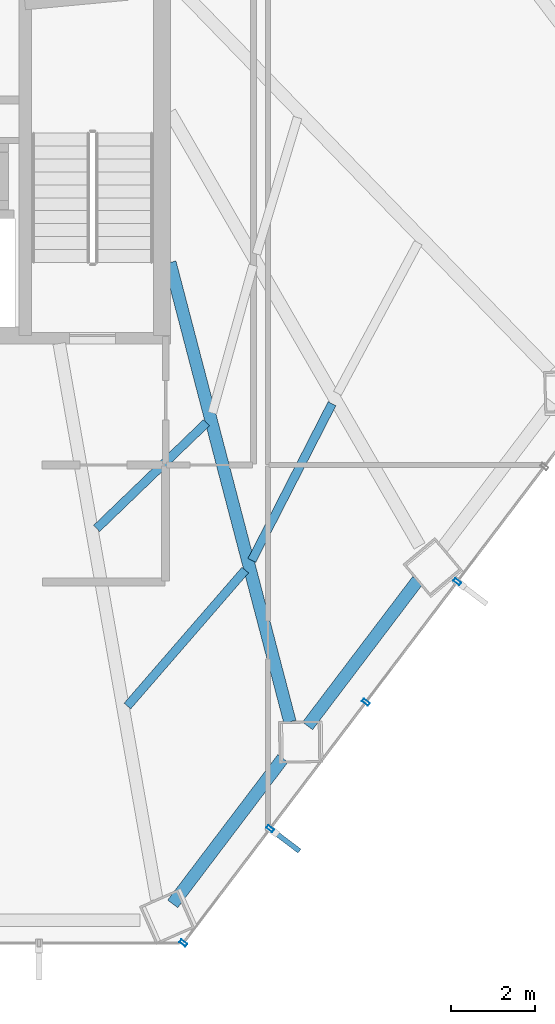
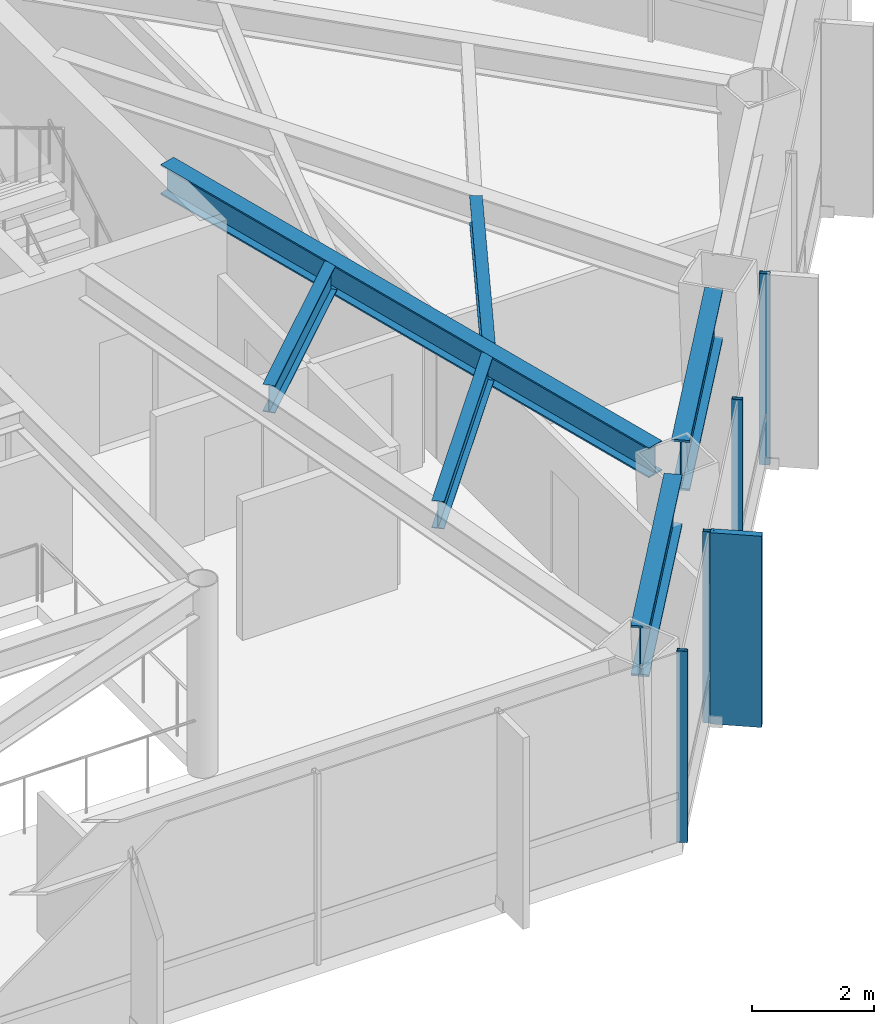
# One storey, part 14 of 24: 6 beams, 5 members, 1 element without a shape of its own.
"""IFC4 building model written with IfcOpenShell, lengths in metres."""

import ifcopenshell
import ifcopenshell.guid

model = None  # the IFC model being written
_history = None  # IfcOwnerHistory: only IFC2X3 demands one
_inside = {}  # id of a spatial element -> (the spatial element, [elements in it])
_under = {}  # id of a project, library or spatial element -> (it, [spatial elements below it])
_declared = {}  # id of a project -> (the project, [libraries it declares])
_typed = {}  # id of a type object -> (the type object, [elements of that type])
_made_of = {}  # id of a material, layer set ... -> (it, [elements and type objects made of it])


def new_model(schema):
    """Start an empty IFC model of exactly this schema.

    Asked for "IFC4X3", IfcOpenShell would pick the latest addendum, in which some entities
    have other attributes; the version numbers below select the first issue.
    IFC2X3 requires an IfcOwnerHistory on every rooted entity: one is made here for all.
    """
    global model, _history
    if schema == "IFC4X3":
        model = ifcopenshell.file(schema_version=(4, 3, 0, 0))
    else:
        model = ifcopenshell.file(schema=schema)
    _inside.clear()
    _under.clear()
    _declared.clear()
    _typed.clear()
    _made_of.clear()
    _history = None
    if model.schema == "IFC2X3":
        org = make("IfcOrganization", Name="unknown")
        user = make(
            "IfcPersonAndOrganization",
            ThePerson=make("IfcPerson", FamilyName="unknown"),
            TheOrganization=org,
        )
        app = make(
            "IfcApplication",
            ApplicationDeveloper=org,
            Version="unknown",
            ApplicationFullName="unknown",
            ApplicationIdentifier="unknown",
        )
        _history = make(
            "IfcOwnerHistory",
            OwningUser=user,
            OwningApplication=app,
            ChangeAction="ADDED",
            CreationDate=0,
        )
    return model


def make(cls, **values):
    """One entity of the class cls with the attributes given. An attribute that is None is left unset."""
    return model.create_entity(
        cls, **{name: value for name, value in values.items() if value is not None}
    )


def rooted(cls, **values):
    """An entity with a GlobalId (a new one), such as an element, a storey or a relation."""
    return make(cls, GlobalId=ifcopenshell.guid.new(), OwnerHistory=_history, **values)


def si_unit(unit_type, name, prefix=None):
    """IfcSIUnit, for example si_unit("LENGTHUNIT", "METRE", prefix="MILLI")."""
    return make("IfcSIUnit", UnitType=unit_type, Prefix=prefix, Name=name)


def assignment(units):
    """IfcUnitAssignment: the units of a project."""
    return None if units is None else make("IfcUnitAssignment", Units=units)


def point(xyz):
    """IfcCartesianPoint."""
    return None if xyz is None else make("IfcCartesianPoint", Coordinates=xyz)


def direction(xyz):
    """IfcDirection."""
    return None if xyz is None else make("IfcDirection", DirectionRatios=xyz)


def frame(location, z_axis=None, x_axis=None):
    """IfcAxis2Placement3D, a coordinate frame: its origin and axes. An axis left out is left unset."""
    return make(
        "IfcAxis2Placement3D",
        Location=point(location),
        Axis=direction(z_axis),
        RefDirection=direction(x_axis),
    )


def frame_2d(location, x_axis=None):
    """IfcAxis2Placement2D, a coordinate frame in the plane: its origin and x axis."""
    return make(
        "IfcAxis2Placement2D", Location=point(location), RefDirection=direction(x_axis)
    )


def origin():
    """The frame at (0, 0, 0) with its axes left unset."""
    return frame((0.0, 0.0, 0.0))


def origin_2d():
    """The frame at (0, 0) in the plane with its x axis left unset."""
    return frame_2d((0.0, 0.0))


def place(relative_to, where):
    """IfcLocalPlacement: puts the frame where relative to a parent placement (None: the world)."""
    return make(
        "IfcLocalPlacement", PlacementRelTo=relative_to, RelativePlacement=where
    )


def context(
    kind, dimensions, precision=None, world=None, true_north=None, identifier=None
):
    """IfcGeometricRepresentationContext, for example the 3D "Model" context."""
    return make(
        "IfcGeometricRepresentationContext",
        ContextIdentifier=identifier,
        ContextType=kind,
        CoordinateSpaceDimension=dimensions,
        Precision=precision,
        WorldCoordinateSystem=world,
        TrueNorth=true_north,
    )


def subcontext(parent, identifier, kind, view, scale=None):
    """IfcGeometricRepresentationSubContext, for example "Body" below "Model"."""
    return make(
        "IfcGeometricRepresentationSubContext",
        ContextIdentifier=identifier,
        ContextType=kind,
        ParentContext=parent,
        TargetScale=scale,
        TargetView=view,
    )


def project(units=None, contexts=None):
    """IfcProject with its units and contexts."""
    return rooted(
        "IfcProject",
        Name="project",
        RepresentationContexts=contexts,
        UnitsInContext=assignment(units),
    )


def spatial(cls, under=None, at=None, **own):
    """A site, building, storey or space (cls), placed at a placement, below another one or the project."""
    s = rooted(cls, ObjectPlacement=at, **own)
    if under is not None:
        _under.setdefault(under.id(), (under, []))[1].append(s)
    return s


def profile(cls, at=None, kind="AREA", **sizes):
    """A parametric profile (cls). Its sizes go by their IFC names, for example OverallWidth=200.0."""
    return make(cls, ProfileType=kind, Position=at, **sizes)


def rectangle(**sizes):
    """IfcRectangleProfileDef."""
    return profile("IfcRectangleProfileDef", **sizes)


def hollow_rectangle(**sizes):
    """IfcRectangleHollowProfileDef."""
    return profile("IfcRectangleHollowProfileDef", **sizes)


def i_section(**sizes):
    """IfcIShapeProfileDef."""
    return profile("IfcIShapeProfileDef", **sizes)


def extrude(swept, where, along, depth):
    """IfcExtrudedAreaSolid: the profile swept, set in the frame where, extruded along a direction by depth."""
    return make(
        "IfcExtrudedAreaSolid",
        SweptArea=swept,
        Position=where,
        ExtrudedDirection=direction(along),
        Depth=depth,
    )


def shape(context_of_items, identifier, shape_type, items):
    """IfcShapeRepresentation: the items that make up one representation, for example the "Body"."""
    return make(
        "IfcShapeRepresentation",
        ContextOfItems=context_of_items,
        RepresentationIdentifier=identifier,
        RepresentationType=shape_type,
        Items=items,
    )


def material(Name=None, Category=None):
    """IfcMaterial."""
    return make("IfcMaterial", Name=Name, Category=Category)


def layer(
    of_material, thickness, ventilated=None, Name=None, Category=None, Priority=None
):
    """IfcMaterialLayer: one layer of a wall or slab, of a material (None: an air gap)."""
    return make(
        "IfcMaterialLayer",
        Material=of_material,
        LayerThickness=thickness,
        IsVentilated=ventilated,
        Name=Name,
        Category=Category,
        Priority=Priority,
    )


def layer_set(layers, Name=None):
    """IfcMaterialLayerSet."""
    return make("IfcMaterialLayerSet", MaterialLayers=layers, LayerSetName=Name)


def material_profile(
    of_material, cross_section, Name=None, Category=None, Priority=None
):
    """IfcMaterialProfile: a cross section and its material."""
    return make(
        "IfcMaterialProfile",
        Name=Name,
        Material=of_material,
        Profile=cross_section,
        Priority=Priority,
        Category=Category,
    )


def profile_set(profiles, Name=None, composite=None):
    """IfcMaterialProfileSet."""
    return make(
        "IfcMaterialProfileSet",
        Name=Name,
        MaterialProfiles=profiles,
        CompositeProfile=composite,
    )


def made_of(thing, what):
    """Note that an element or type object is made of a material, layer set ...; save() writes the relation."""
    if what is not None:
        _made_of.setdefault(what.id(), (what, []))[1].append(thing)
    return thing


def type_object(cls, material=None, **own):
    """A type object (cls), such as IfcWallType, which elements share."""
    return made_of(rooted(cls, **own), material)


def element(
    cls,
    number,
    at=None,
    inside=None,
    cuts=None,
    type_object=None,
    material=None,
    context=None,
    identifier="Body",
    shape_type=None,
    held_by="IfcProductDefinitionShape",
    body=None,
    shapes=None,
    **own,
):
    """One element of the class cls, such as IfcWall. Its Tag is "e" and its number.

    at: its placement. inside: the storey or other place that contains it. cuts: it is an
    opening in that element (IfcRelVoidsElement). A single representation is given by context,
    identifier, shape_type and body (its items); several are given by shapes. held_by: the class
    of the entity that holds the representations. save() writes the other relations.
    """
    e = rooted(cls, Tag="e%d" % number, ObjectPlacement=at, **own)
    if body is not None:
        shapes = [shape(context, identifier, shape_type, body)]
    if shapes is not None:
        e.Representation = make(held_by, Representations=shapes)
    if inside is not None:
        _inside.setdefault(inside.id(), (inside, []))[1].append(e)
    if cuts is not None:
        rooted(
            "IfcRelVoidsElement", RelatingBuildingElement=cuts, RelatedOpeningElement=e
        )
    if type_object is not None:
        _typed.setdefault(type_object.id(), (type_object, []))[1].append(e)
    return made_of(e, material)


def aggregate(whole, parts):
    """IfcRelAggregates: a whole, such as a stair, and the parts it consists of."""
    return rooted("IfcRelAggregates", RelatingObject=whole, RelatedObjects=parts)


def save(model, path):
    """Write the relations noted so far, then the file.

    IfcRelAggregates (storeys below a building ...), IfcRelContainedInSpatialStructure (elements
    in a storey), IfcRelDefinesByType, IfcRelAssociatesMaterial and IfcRelDeclares: one each for
    every whole, place, type object, material and project.
    """
    for whole, parts in _under.values():
        aggregate(whole, parts)
    for where, things in _inside.values():
        rooted(
            "IfcRelContainedInSpatialStructure",
            RelatedElements=things,
            RelatingStructure=where,
        )
    for kind, things in _typed.values():
        rooted("IfcRelDefinesByType", RelatedObjects=things, RelatingType=kind)
    for what, things in _made_of.values():
        rooted("IfcRelAssociatesMaterial", RelatedObjects=things, RelatingMaterial=what)
    for by, libraries in _declared.values():
        rooted("IfcRelDeclares", RelatingContext=by, RelatedDefinitions=libraries)
    model.write(path)


model = new_model("IFC4")

# Units and contexts
model_context = context("Model", 3, precision=1e-05, world=origin(), true_north=direction((0.0, 1.0)))
body_context = subcontext(model_context, "Body", "Model", "MODEL_VIEW")
ifc_project = project(units=[si_unit("LENGTHUNIT", "METRE"), si_unit("AREAUNIT", "SQUARE_METRE"), si_unit("VOLUMEUNIT", "CUBIC_METRE"), si_unit("PLANEANGLEUNIT", "RADIAN"), si_unit("MASSUNIT", "GRAM", prefix="KILO")], contexts=[model_context])

# Site, building, storey
site_placement = place(None, origin())
site = spatial("IfcSite", under=ifc_project, at=site_placement, CompositionType="ELEMENT")
building_placement = place(site_placement, origin())
building = spatial("IfcBuilding", under=site, at=building_placement, Name="Zarrinselat Tower", CompositionType="ELEMENT")
storey_placement = place(building_placement, frame((0.0, 0.0, 68.340087890625)))
storey = spatial("IfcBuildingStorey", under=building, at=storey_placement, Name="L16", CompositionType="ELEMENT", Elevation=68.340087890625)

# Beams
ifc_material_1 = material(Name="Steel S355J2", Category="steel")
ifc_material_profile_1 = material_profile(ifc_material_1, i_section(OverallWidth=0.300048828125, OverallDepth=0.60009765625, WebThickness=0.015380859375, FlangeThickness=0.030029296875, at=origin_2d()), Name="HEB 600")
ifc_profile_set_1 = profile_set([ifc_material_profile_1], Name="Steel S355J2")
beam_type_1 = type_object("IfcBeamType", Name="BM-HEB600", PredefinedType="BEAM", material=ifc_profile_set_1)
beam_1_placement = place(storey_placement, frame((48.449951171875, 35.0, 3.52001953125), z_axis=(0.252816194967, -0.967514326283, 0.0), x_axis=(0.967514326283, 0.252816194967, 0.0)))
element("IfcBeam", 1, at=beam_1_placement, inside=storey, type_object=beam_type_1, Name="L16 Radial Primary Girder RG12", PredefinedType="BEAM", context=body_context, shape_type="SweptSolid", body=[
    extrude(i_section(OverallWidth=0.300048828125, OverallDepth=0.60009765625, WebThickness=0.015380859375, FlangeThickness=0.030029296875, at=origin_2d()), origin(), (0.0, 0.0, 1.0), 11.3671875),
])
ifc_material_2 = material(Name="Steel S460M", Category="steel")
ifc_material_profile_2 = material_profile(ifc_material_2, i_section(OverallWidth=0.302001953125, OverallDepth=1.008056640625, WebThickness=0.02099609375, FlangeThickness=0.0400390625, at=origin_2d()), Name="HEM 1000")
ifc_profile_set_2 = profile_set([ifc_material_profile_2], Name="Steel S460M")
beam_type_2 = type_object("IfcBeamType", Name="BM-HEM1000", PredefinedType="BEAM", material=ifc_profile_set_2)
beam_2_placement = place(storey_placement, frame((48.516845703125, 19.643798828125, 3.31591796875), z_axis=(0.603836178462, 0.797108442798, 0.0), x_axis=(-0.797108442798, 0.603836178462, 0.0)))
element("IfcBeam", 2, at=beam_2_placement, inside=storey, type_object=beam_type_2, Name="L16 Perimeter Spandrel Girder SP11", PredefinedType="BEAM", context=body_context, shape_type="SweptSolid", body=[
    extrude(i_section(OverallWidth=0.302001953125, OverallDepth=1.008056640625, WebThickness=0.02099609375, FlangeThickness=0.0400390625, at=origin_2d()), origin(), (0.0, 0.0, 1.0), 4.37060546875),
])
beam_3_placement = place(storey_placement, frame((51.745361328125, 23.905517578125, 3.31591796875), z_axis=(0.60386306555, 0.797088074221, 0.0), x_axis=(-0.797088074221, 0.60386306555, 0.0)))
element("IfcBeam", 3, at=beam_3_placement, inside=storey, type_object=beam_type_2, Name="L16 Perimeter Spandrel Girder SP12", PredefinedType="BEAM", context=body_context, shape_type="SweptSolid", body=[
    extrude(i_section(OverallWidth=0.302001953125, OverallDepth=1.008056640625, WebThickness=0.02099609375, FlangeThickness=0.0400390625, at=origin_2d()), origin(), (0.0, 0.0, 1.0), 4.370361328125),
])
ifc_material_3 = material(Name="Steel S355J2", Category="steel")
ifc_material_profile_3 = material_profile(ifc_material_3, i_section(OverallWidth=0.2099609375, OverallDepth=0.550048828125, WebThickness=0.010986328125, FlangeThickness=0.01708984375, at=origin_2d()), Name="IPE 550")
ifc_profile_set_3 = profile_set([ifc_material_profile_3], Name="Steel S355J2")
beam_type_3 = type_object("IfcBeamType", Name="BM-IPE550", PredefinedType="JOIST", material=ifc_profile_set_3)
beam_4_placement = place(storey_placement, frame((47.43310546875, 24.380615234375, 3.544921875), z_axis=(0.655018994575, 0.755612411721, 0.0), x_axis=(-0.755612411721, 0.655018994575, 0.0)))
element("IfcBeam", 4, at=beam_4_placement, inside=storey, type_object=beam_type_3, Name="L16 Composite Floor Joist 3-1", PredefinedType="JOIST", context=body_context, shape_type="SweptSolid", body=[
    extrude(i_section(OverallWidth=0.2099609375, OverallDepth=0.550048828125, WebThickness=0.010986328125, FlangeThickness=0.01708984375, at=origin_2d()), origin(), (0.0, 0.0, 1.0), 4.307861328125),
])
beam_5_placement = place(storey_placement, frame((46.69482421875, 28.63134765625, 3.544921875), z_axis=(0.720514408481, 0.693439966522, 0.0), x_axis=(-0.693439966522, 0.720514408481, 0.0)))
element("IfcBeam", 5, at=beam_5_placement, inside=storey, type_object=beam_type_3, Name="L16 Composite Floor Joist 3-2", PredefinedType="JOIST", context=body_context, shape_type="SweptSolid", body=[
    extrude(i_section(OverallWidth=0.2099609375, OverallDepth=0.550048828125, WebThickness=0.010986328125, FlangeThickness=0.01708984375, at=origin_2d()), origin(), (0.0, 0.0, 1.0), 3.652099609375),
])
beam_6_placement = place(storey_placement, frame((50.410400390625, 27.8662109375, 3.544921875), z_axis=(0.455714794435, 0.89012584848, 0.0), x_axis=(-0.89012584848, 0.455714794435, 0.0)))
element("IfcBeam", 6, at=beam_6_placement, inside=storey, type_object=beam_type_3, Name="L16 Composite Floor Joist 4-1", PredefinedType="JOIST", context=body_context, shape_type="SweptSolid", body=[
    extrude(i_section(OverallWidth=0.2099609375, OverallDepth=0.550048828125, WebThickness=0.010986328125, FlangeThickness=0.01708984375, at=origin_2d()), origin(), (0.0, 0.0, 1.0), 4.21728515625),
])

# Curtain wall, members
ifc_material_4 = material(Name="Extruded Aluminium Alloy EN AW-6063 T6", Category="aluminium")
ifc_layer = layer(ifc_material_4, 0.18505859375)
ifc_layer_set = layer_set([ifc_layer], Name="Extruded Aluminium Alloy EN AW-6063 T6")
curtain_wall_type = type_object("IfcCurtainWallType", Name="CWS-OFF", PredefinedType="NOTDEFINED", material=ifc_layer_set)
curtain_wall_placement = place(storey_placement, origin())
curtain_wall = element("IfcCurtainWall", 7, at=curtain_wall_placement, inside=storey, type_object=curtain_wall_type, Name="L16 Unitised Curtain Wall CW-L16-E04", PredefinedType="NOTDEFINED")
ifc_material_5 = material(Name="Extruded Aluminium Alloy EN AW-6063 T6", Category="aluminium")
ifc_material_profile_4 = material_profile(ifc_material_5, hollow_rectangle(XDim=0.080078125, YDim=0.179931640625, WallThickness=0.0048828125, at=origin_2d()), Name="RHS 180x80x5")
ifc_profile_set_4 = profile_set([ifc_material_profile_4], Name="Extruded Aluminium Alloy EN AW-6063 T6")
member_type_1 = type_object("IfcMemberType", Name="MEM-CW-MUL", PredefinedType="MULLION", material=ifc_profile_set_4)
member_1_placement = place(storey_placement, frame((55.3291015625, 27.357421875, 0.0), z_axis=(0.0, 0.0, 1.0), x_axis=(-0.603859195889, -0.797091005808, 0.0)))
member_1 = element("IfcMember", 8, at=member_1_placement, type_object=member_type_1, Name="CW-L16-E04 Mullion 3", PredefinedType="MULLION", context=body_context, shape_type="SweptSolid", body=[
    extrude(hollow_rectangle(XDim=0.080078125, YDim=0.179931640625, WallThickness=0.0048828125, at=origin_2d()), origin(), (0.0, 0.0, 1.0), 3.81982421875),
])
member_2_placement = place(storey_placement, frame((53.144287109375, 24.4736328125, 0.0), z_axis=(0.0, 0.0, 1.0), x_axis=(-0.603859195889, -0.797091005808, 0.0)))
member_2 = element("IfcMember", 9, at=member_2_placement, type_object=member_type_1, Name="CW-L16-E04 Mullion 4", PredefinedType="MULLION", context=body_context, shape_type="SweptSolid", body=[
    extrude(hollow_rectangle(XDim=0.080078125, YDim=0.179931640625, WallThickness=0.0048828125, at=origin_2d()), origin(), (0.0, 0.0, 1.0), 3.81982421875),
])
member_3_placement = place(storey_placement, frame((50.847900390625, 21.4423828125, 0.0), z_axis=(0.0, 0.0, 1.0), x_axis=(-0.603859195889, -0.797091005808, 0.0)))
member_3 = element("IfcMember", 10, at=member_3_placement, type_object=member_type_1, Name="CW-L16-E04 Mullion 5", PredefinedType="MULLION", context=body_context, shape_type="SweptSolid", body=[
    extrude(hollow_rectangle(XDim=0.080078125, YDim=0.179931640625, WallThickness=0.0048828125, at=origin_2d()), origin(), (0.0, 0.0, 1.0), 3.81982421875),
])
member_4_placement = place(storey_placement, frame((48.775390625, 18.70654296875, 0.0), z_axis=(0.0, 0.0, 1.0), x_axis=(-0.603859195889, -0.797091005808, 0.0)))
member_4 = element("IfcMember", 11, at=member_4_placement, type_object=member_type_1, Name="CW-L16-E04 Mullion 6", PredefinedType="MULLION", context=body_context, shape_type="SweptSolid", body=[
    extrude(hollow_rectangle(XDim=0.080078125, YDim=0.179931640625, WallThickness=0.0048828125, at=origin_2d()), origin(), (0.0, 0.0, 1.0), 3.81982421875),
])
ifc_material_6 = material(Name="Honed Cream Travertine Stone", Category="masonry")
ifc_material_profile_5 = material_profile(ifc_material_6, rectangle(XDim=0.1201171875, YDim=0.85009765625, at=origin_2d()), Name="FIN 850x120")
ifc_profile_set_5 = profile_set([ifc_material_profile_5], Name="Honed Cream Travertine Stone")
member_type_2 = type_object("IfcMemberType", Name="MEM-STONE-FIN", PredefinedType="USERDEFINED", material=ifc_profile_set_5)
member_5_placement = place(storey_placement, frame((51.214599609375, 21.16455078125, 0.0), z_axis=(0.0, 0.0, 1.0), x_axis=(-0.603859195889, -0.797091005808, 0.0)))
member_5 = element("IfcMember", 12, at=member_5_placement, type_object=member_type_2, Name="L16 Stone Shading Fin CW-L16-E04-05", ObjectType="FIN", PredefinedType="USERDEFINED", context=body_context, shape_type="SweptSolid", body=[
    extrude(rectangle(XDim=0.1201171875, YDim=0.85009765625, at=origin_2d()), origin(), (0.0, 0.0, 1.0), 3.81982421875),
])
aggregate(curtain_wall, [member_1, member_2, member_3, member_5, member_4])

save(model, "model.ifc")
